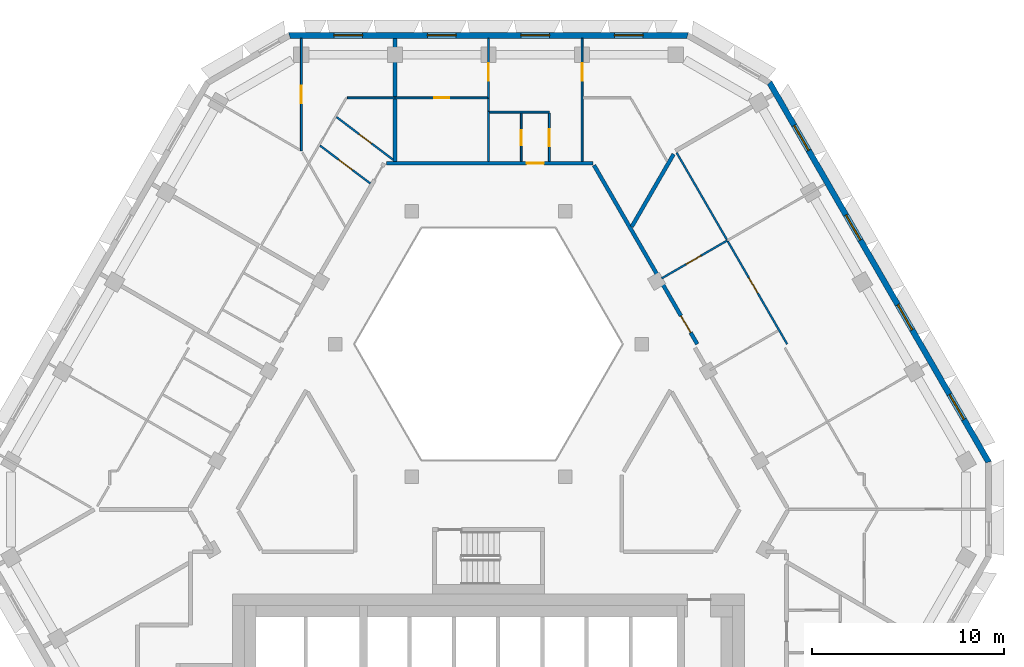
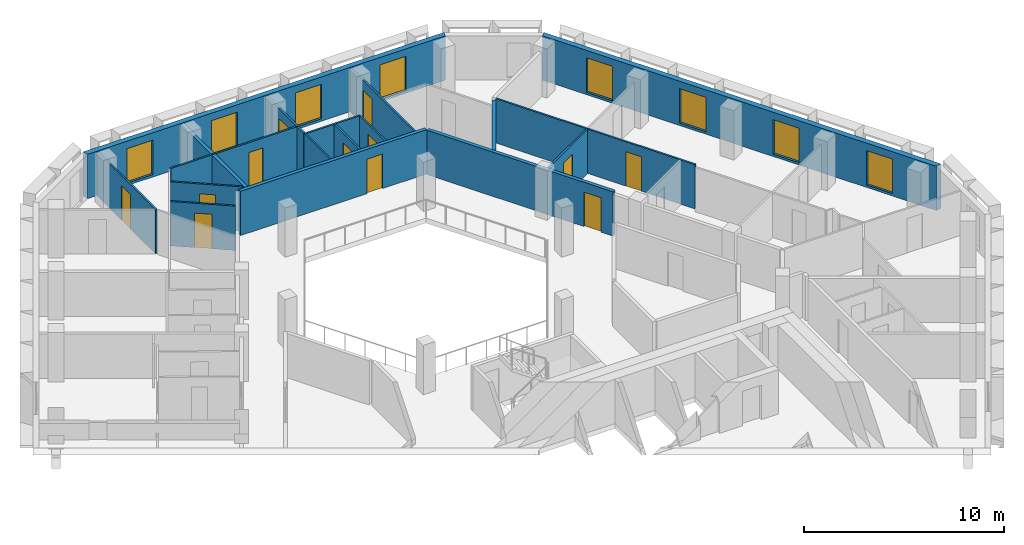
# One storey, part 7 of 15: 20 walls, 12 doors, 8 windows, 20 openings.
"""IFC4 building model written with IfcOpenShell, lengths in metres."""

from ifc_helpers import new_model, si_unit, direction, frame, frame_2d, origin, place, context, subcontext, project, spatial, polyline, rectangle, outline, extrude, material, layer, layer_set, type_object, element, fill, save


model = new_model("IFC4")

# Units and contexts
model_context = context("Model", 3, precision=1e-05, world=origin(), true_north=direction((0.0, 1.0)))
body_context = subcontext(model_context, "Body", "Model", "MODEL_VIEW")
ifc_project = project(units=[si_unit("LENGTHUNIT", "METRE"), si_unit("AREAUNIT", "SQUARE_METRE"), si_unit("VOLUMEUNIT", "CUBIC_METRE"), si_unit("PLANEANGLEUNIT", "RADIAN"), si_unit("MASSUNIT", "GRAM", prefix="KILO")], contexts=[model_context])

# Site, building, storey
site_placement = place(None, origin())
site = spatial("IfcSite", under=ifc_project, at=site_placement, CompositionType="ELEMENT")
building_placement = place(site_placement, origin())
building = spatial("IfcBuilding", under=site, at=building_placement, Name="Beryl Residences", CompositionType="ELEMENT")
storey_placement = place(building_placement, frame((0.0, 0.0, 163.199951171875)))
storey = spatial("IfcBuildingStorey", under=building, at=storey_placement, Name="L49", CompositionType="ELEMENT", Elevation=163.199951171875)

# Wall, openings, windows
ifc_material_1 = material(Name="Composite metal panel with mineral wool insulation")
ifc_layer_1 = layer(ifc_material_1, 0.300048828125)
ifc_layer_set_1 = layer_set([ifc_layer_1], Name="ES1 pale metal composite panel wall 300 mm")
wall_type_1 = type_object("IfcWallType", Name="ES1 pale metal composite panel wall 300 mm", PredefinedType="SOLIDWALL", material=ifc_layer_set_1)
wall_1_placement = place(storey_placement, frame((10.39208984375, 24.050048828125, 0.0), z_axis=(0.0, 0.0, 1.0), x_axis=(-1.0, 0.0, 0.0)))
wall_1 = element("IfcWall", 1, at=wall_1_placement, inside=storey, type_object=wall_type_1, Name="ES1 external wall L49 N", PredefinedType="SOLIDWALL", context=body_context, shape_type="SweptSolid", body=[
    extrude(outline(polyline([(0.0, -0.14990234375), (20.7841796875, -0.14990234375), (20.703857421875, 0.14990234375), (0.080322265625, 0.14990234375), (0.0, -0.14990234375)])), origin(), (0.0, 0.0, 1.0), 2.699951171875),
])
opening_1_placement = place(wall_1_placement, frame((2.345947265625, 0.0, 0.14990234375)))
opening_1 = element("IfcOpeningElement", 2, at=opening_1_placement, cuts=wall_1, Name="Opening W1", PredefinedType="OPENING", context=body_context, shape_type="SweptSolid", body=[
    extrude(rectangle(XDim=1.5, YDim=2.10009765625, at=frame_2d((0.75, 1.050048828125))), frame((0.0, 0.159912109375, 0.0), z_axis=(0.0, -1.0, 0.0), x_axis=(1.0, 0.0, 0.0)), (0.0, 0.0, 1.0), 0.320068359375),
])
opening_2_placement = place(wall_1_placement, frame((7.2099609375, 0.0, 0.14990234375)))
opening_2 = element("IfcOpeningElement", 3, at=opening_2_placement, cuts=wall_1, Name="Opening W1", PredefinedType="OPENING", context=body_context, shape_type="SweptSolid", body=[
    extrude(rectangle(XDim=1.5, YDim=2.10009765625, at=frame_2d((0.75, 1.050048828125))), frame((0.0, 0.159912109375, 0.0), z_axis=(0.0, -1.0, 0.0), x_axis=(1.0, 0.0, 0.0)), (0.0, 0.0, 1.0), 0.320068359375),
])
opening_3_placement = place(wall_1_placement, frame((12.073974609375, 0.0, 0.14990234375)))
opening_3 = element("IfcOpeningElement", 4, at=opening_3_placement, cuts=wall_1, Name="Opening W1", PredefinedType="OPENING", context=body_context, shape_type="SweptSolid", body=[
    extrude(rectangle(XDim=1.5, YDim=2.10009765625, at=frame_2d((0.75, 1.050048828125))), frame((0.0, 0.159912109375, 0.0), z_axis=(0.0, -1.0, 0.0), x_axis=(1.0, 0.0, 0.0)), (0.0, 0.0, 1.0), 0.320068359375),
])
opening_4_placement = place(wall_1_placement, frame((16.93798828125, 0.0, 0.14990234375)))
opening_4 = element("IfcOpeningElement", 5, at=opening_4_placement, cuts=wall_1, Name="Opening W1", PredefinedType="OPENING", context=body_context, shape_type="SweptSolid", body=[
    extrude(rectangle(XDim=1.5, YDim=2.10009765625, at=frame_2d((0.75, 1.050048828125))), frame((0.0, 0.159912109375, 0.0), z_axis=(0.0, -1.0, 0.0), x_axis=(1.0, 0.0, 0.0)), (0.0, 0.0, 1.0), 0.320068359375),
])
ifc_material_2 = material(Name="Aluminium and clear glass", Category="aluminium")
window_type = type_object("IfcWindowType", Name="W1 cell window 1500 x 2100 mm", PartitioningType="SINGLE_PANEL", PredefinedType="WINDOW", material=ifc_material_2)
window_1_placement = place(opening_1_placement, origin())
window_1 = element("IfcWindow", 6, at=window_1_placement, inside=storey, type_object=window_type, Name="W1 window L49 N 2", OverallHeight=2.10009765625, OverallWidth=1.5, PartitioningType="SINGLE_PANEL", PredefinedType="WINDOW", context=body_context, shape_type="SweptSolid", body=[
    extrude(rectangle(XDim=1.5, YDim=2.10009765625, at=frame_2d((0.75, 1.050048828125))), frame((0.0, 0.030029296875, 0.0), z_axis=(0.0, -1.0, 0.0), x_axis=(1.0, 0.0, 0.0)), (0.0, 0.0, 1.0), 0.06005859375),
])
fill(opening_1, window_1)
window_2_placement = place(opening_2_placement, origin())
window_2 = element("IfcWindow", 7, at=window_2_placement, inside=storey, type_object=window_type, Name="W1 window L49 N 4", OverallHeight=2.10009765625, OverallWidth=1.5, PartitioningType="SINGLE_PANEL", PredefinedType="WINDOW", context=body_context, shape_type="SweptSolid", body=[
    extrude(rectangle(XDim=1.5, YDim=2.10009765625, at=frame_2d((0.75, 1.050048828125))), frame((0.0, 0.030029296875, 0.0), z_axis=(0.0, -1.0, 0.0), x_axis=(1.0, 0.0, 0.0)), (0.0, 0.0, 1.0), 0.06005859375),
])
fill(opening_2, window_2)
window_3_placement = place(opening_3_placement, origin())
window_3 = element("IfcWindow", 8, at=window_3_placement, inside=storey, type_object=window_type, Name="W1 window L49 N 6", OverallHeight=2.10009765625, OverallWidth=1.5, PartitioningType="SINGLE_PANEL", PredefinedType="WINDOW", context=body_context, shape_type="SweptSolid", body=[
    extrude(rectangle(XDim=1.5, YDim=2.10009765625, at=frame_2d((0.75, 1.050048828125))), frame((0.0, 0.030029296875, 0.0), z_axis=(0.0, -1.0, 0.0), x_axis=(1.0, 0.0, 0.0)), (0.0, 0.0, 1.0), 0.06005859375),
])
fill(opening_3, window_3)
window_4_placement = place(opening_4_placement, origin())
window_4 = element("IfcWindow", 9, at=window_4_placement, inside=storey, type_object=window_type, Name="W1 window L49 N 8", OverallHeight=2.10009765625, OverallWidth=1.5, PartitioningType="SINGLE_PANEL", PredefinedType="WINDOW", context=body_context, shape_type="SweptSolid", body=[
    extrude(rectangle(XDim=1.5, YDim=2.10009765625, at=frame_2d((0.75, 1.050048828125))), frame((0.0, 0.030029296875, 0.0), z_axis=(0.0, -1.0, 0.0), x_axis=(1.0, 0.0, 0.0)), (0.0, 0.0, 1.0), 0.06005859375),
])
fill(opening_4, window_4)

wall_2_placement = place(storey_placement, frame((26.02392578125, 1.824951171875, 0.0), z_axis=(0.0, 0.0, 1.0), x_axis=(-0.500010537973, 0.866019319597, 0.0)))
wall_2 = element("IfcWall", 10, at=wall_2_placement, inside=storey, type_object=wall_type_1, Name="ES1 external wall L49 NE", PredefinedType="SOLIDWALL", context=body_context, shape_type="SweptSolid", body=[
    extrude(outline(polyline([(0.0, -0.14990234375), (22.86328125, -0.14990234375), (22.782958984375, 0.14990234375), (0.080322265625, 0.14990234375), (0.0, -0.14990234375)])), origin(), (0.0, 0.0, 1.0), 2.699951171875),
])
opening_5_placement = place(wall_2_placement, frame((2.60595703125, 0.0, 0.14990234375)))
opening_5 = element("IfcOpeningElement", 11, at=opening_5_placement, cuts=wall_2, Name="Opening W1", PredefinedType="OPENING", context=body_context, shape_type="SweptSolid", body=[
    extrude(rectangle(XDim=1.5, YDim=2.10009765625, at=frame_2d((0.75, 1.050048828125))), frame((0.0, 0.159912109375, 0.0), z_axis=(0.0, -1.0, 0.0), x_axis=(1.0, 0.0, 0.0)), (0.0, 0.0, 1.0), 0.320068359375),
])
opening_6_placement = place(wall_2_placement, frame((7.989990234375, 0.0, 0.14990234375)))
opening_6 = element("IfcOpeningElement", 12, at=opening_6_placement, cuts=wall_2, Name="Opening W1", PredefinedType="OPENING", context=body_context, shape_type="SweptSolid", body=[
    extrude(rectangle(XDim=1.5, YDim=2.10009765625, at=frame_2d((0.75, 1.050048828125))), frame((0.0, 0.159912109375, 0.0), z_axis=(0.0, -1.0, 0.0), x_axis=(1.0, 0.0, 0.0)), (0.0, 0.0, 1.0), 0.320068359375),
])
opening_7_placement = place(wall_2_placement, frame((13.373046875, 0.0, 0.14990234375)))
opening_7 = element("IfcOpeningElement", 13, at=opening_7_placement, cuts=wall_2, Name="Opening W1", PredefinedType="OPENING", context=body_context, shape_type="SweptSolid", body=[
    extrude(rectangle(XDim=1.5, YDim=2.10009765625, at=frame_2d((0.75, 1.050048828125))), frame((0.0, 0.159912109375, 0.0), z_axis=(0.0, -1.0, 0.0), x_axis=(1.0, 0.0, 0.0)), (0.0, 0.0, 1.0), 0.320068359375),
])
opening_8_placement = place(wall_2_placement, frame((18.758056640625, 0.0, 0.14990234375)))
opening_8 = element("IfcOpeningElement", 14, at=opening_8_placement, cuts=wall_2, Name="Opening W1", PredefinedType="OPENING", context=body_context, shape_type="SweptSolid", body=[
    extrude(rectangle(XDim=1.5, YDim=2.10009765625, at=frame_2d((0.75, 1.050048828125))), frame((0.0, 0.159912109375, 0.0), z_axis=(0.0, -1.0, 0.0), x_axis=(1.0, 0.0, 0.0)), (0.0, 0.0, 1.0), 0.320068359375),
])
window_5_placement = place(opening_5_placement, origin())
window_5 = element("IfcWindow", 15, at=window_5_placement, inside=storey, type_object=window_type, Name="W1 window L49 NE 2", OverallHeight=2.10009765625, OverallWidth=1.5, PartitioningType="SINGLE_PANEL", PredefinedType="WINDOW", context=body_context, shape_type="SweptSolid", body=[
    extrude(rectangle(XDim=1.5, YDim=2.10009765625, at=frame_2d((0.75, 1.050048828125))), frame((0.0, 0.030029296875, 0.0), z_axis=(0.0, -1.0, 0.0), x_axis=(1.0, 0.0, 0.0)), (0.0, 0.0, 1.0), 0.06005859375),
])
fill(opening_5, window_5)
window_6_placement = place(opening_6_placement, origin())
window_6 = element("IfcWindow", 16, at=window_6_placement, inside=storey, type_object=window_type, Name="W1 window L49 NE 4", OverallHeight=2.10009765625, OverallWidth=1.5, PartitioningType="SINGLE_PANEL", PredefinedType="WINDOW", context=body_context, shape_type="SweptSolid", body=[
    extrude(rectangle(XDim=1.5, YDim=2.10009765625, at=frame_2d((0.75, 1.050048828125))), frame((0.0, 0.030029296875, 0.0), z_axis=(0.0, -1.0, 0.0), x_axis=(1.0, 0.0, 0.0)), (0.0, 0.0, 1.0), 0.06005859375),
])
fill(opening_6, window_6)
window_7_placement = place(opening_7_placement, origin())
window_7 = element("IfcWindow", 17, at=window_7_placement, inside=storey, type_object=window_type, Name="W1 window L49 NE 6", OverallHeight=2.10009765625, OverallWidth=1.5, PartitioningType="SINGLE_PANEL", PredefinedType="WINDOW", context=body_context, shape_type="SweptSolid", body=[
    extrude(rectangle(XDim=1.5, YDim=2.10009765625, at=frame_2d((0.75, 1.050048828125))), frame((0.0, 0.030029296875, 0.0), z_axis=(0.0, -1.0, 0.0), x_axis=(1.0, 0.0, 0.0)), (0.0, 0.0, 1.0), 0.06005859375),
])
fill(opening_7, window_7)
window_8_placement = place(opening_8_placement, origin())
window_8 = element("IfcWindow", 18, at=window_8_placement, inside=storey, type_object=window_type, Name="W1 window L49 NE 8", OverallHeight=2.10009765625, OverallWidth=1.5, PartitioningType="SINGLE_PANEL", PredefinedType="WINDOW", context=body_context, shape_type="SweptSolid", body=[
    extrude(rectangle(XDim=1.5, YDim=2.10009765625, at=frame_2d((0.75, 1.050048828125))), frame((0.0, 0.030029296875, 0.0), z_axis=(0.0, -1.0, 0.0), x_axis=(1.0, 0.0, 0.0)), (0.0, 0.0, 1.0), 0.06005859375),
])
fill(opening_8, window_8)

# Wall, opening, door
ifc_material_3 = material(Name="Gypsum board partition on steel studs", Category="steel")
ifc_layer_2 = layer(ifc_material_3, 0.10009765625)
ifc_layer_set_2 = layer_set([ifc_layer_2], Name="PT1 partition 100 mm gypsum board on steel studs")
wall_type_2 = type_object("IfcWallType", Name="PT1 partition 100 mm gypsum board on steel studs", PredefinedType="PARTITIONING", material=ifc_layer_set_2)
wall_3_placement = place(storey_placement, frame((9.783935546875, 17.947021484375, 0.0), z_axis=(0.0, 0.0, 1.0), x_axis=(0.500016228266, -0.866016034188, 0.0)))
wall_3 = element("IfcWall", 19, at=wall_3_placement, inside=storey, type_object=wall_type_2, Name="Wall PT1 L49 005", PredefinedType="PARTITIONING", context=body_context, shape_type="SweptSolid", body=[
    extrude(rectangle(XDim=11.48583984375, YDim=0.10009765625, at=frame_2d((5.742919921875, 0.0))), origin(), (0.0, 0.0, 1.0), 2.699951171875),
])
opening_9_placement = place(wall_3_placement, frame((7.51806640625, 0.0, 0.0)))
opening_9 = element("IfcOpeningElement", 20, at=opening_9_placement, cuts=wall_3, Name="Opening D1616", PredefinedType="OPENING", context=body_context, shape_type="SweptSolid", body=[
    extrude(rectangle(XDim=0.89990234375, YDim=2.10009765625, at=frame_2d((0.449951171875, 1.050048828125))), frame((0.0, 0.06005859375, 0.0), z_axis=(0.0, -1.0, 0.0), x_axis=(1.0, 0.0, 0.0)), (0.0, 0.0, 1.0), 0.1201171875),
])
ifc_material_4 = material(Name="Timber door leaf", Category="wood")
door_type_1 = type_object("IfcDoorType", Name="D2 room door 900 x 2100 mm", OperationType="SINGLE_SWING_LEFT", PredefinedType="DOOR", material=ifc_material_4)
door_1_placement = place(opening_9_placement, origin())
door_1 = element("IfcDoor", 21, at=door_1_placement, inside=storey, type_object=door_type_1, Name="Door D1616 L49 001", OperationType="SINGLE_SWING_RIGHT", OverallHeight=2.10009765625, OverallWidth=0.89990234375, PredefinedType="DOOR", context=body_context, shape_type="SweptSolid", body=[
    extrude(rectangle(XDim=0.89990234375, YDim=2.10009765625, at=frame_2d((0.449951171875, 1.050048828125))), frame((0.0, 0.02490234375, 0.0), z_axis=(0.0, -1.0, 0.0), x_axis=(1.0, 0.0, 0.0)), (0.0, 0.0, 1.0), 0.050048828125),
])
fill(opening_9, door_1)

# Wall
wall_4_placement = place(storey_placement, frame((0.0, 20.76904296875, 0.0), z_axis=(0.0, 0.0, 1.0), x_axis=(0.0, -1.0, 0.0)))
element("IfcWall", 22, at=wall_4_placement, inside=storey, type_object=wall_type_2, Name="Wall PT1 L49 006", PredefinedType="PARTITIONING", context=body_context, shape_type="SweptSolid", body=[
    extrude(rectangle(XDim=0.658935546875, YDim=0.10009765625, at=frame_2d((0.32958984375, 0.0))), origin(), (0.0, 0.0, 1.0), 2.699951171875),
])

# Wall, opening, door
wall_5_placement = place(storey_placement, frame((3.162109375, 20.009033203125, 0.0), z_axis=(0.0, 0.0, 1.0), x_axis=(0.0, -1.0, 0.0)))
wall_5 = element("IfcWall", 23, at=wall_5_placement, inside=storey, type_object=wall_type_2, Name="Wall PT1 L49 007", PredefinedType="PARTITIONING", context=body_context, shape_type="SweptSolid", body=[
    extrude(rectangle(XDim=2.509033203125, YDim=0.10009765625, at=frame_2d((1.25439453125, 0.0))), origin(), (0.0, 0.0, 1.0), 2.699951171875),
])
opening_10_placement = place(wall_5_placement, frame((0.8291015625, 0.0, 0.0)))
opening_10 = element("IfcOpeningElement", 24, at=opening_10_placement, cuts=wall_5, Name="Opening D1625", PredefinedType="OPENING", context=body_context, shape_type="SweptSolid", body=[
    extrude(rectangle(XDim=0.89990234375, YDim=2.10009765625, at=frame_2d((0.449951171875, 1.050048828125))), frame((0.0, 0.06005859375, 0.0), z_axis=(0.0, -1.0, 0.0), x_axis=(1.0, 0.0, 0.0)), (0.0, 0.0, 1.0), 0.1201171875),
])
door_2_placement = place(opening_10_placement, origin())
door_2 = element("IfcDoor", 25, at=door_2_placement, inside=storey, type_object=door_type_1, Name="Door D1625 L49 001", OperationType="SINGLE_SWING_LEFT", OverallHeight=2.10009765625, OverallWidth=0.89990234375, PredefinedType="DOOR", context=body_context, shape_type="SweptSolid", body=[
    extrude(rectangle(XDim=0.89990234375, YDim=2.10009765625, at=frame_2d((0.449951171875, 1.050048828125))), frame((0.0, 0.02490234375, 0.0), z_axis=(0.0, -1.0, 0.0), x_axis=(1.0, 0.0, 0.0)), (0.0, 0.0, 1.0), 0.050048828125),
])
fill(opening_10, door_2)

wall_6_placement = place(storey_placement, frame((-8.762939453125, 18.321044921875, 0.0), z_axis=(0.0, 0.0, 1.0), x_axis=(0.798861914713, -0.601514456369, 0.0)))
wall_6 = element("IfcWall", 26, at=wall_6_placement, inside=storey, type_object=wall_type_2, Name="Wall PT1 L49 015", PredefinedType="PARTITIONING", context=body_context, shape_type="SweptSolid", body=[
    extrude(rectangle(XDim=3.2734375, YDim=0.10009765625, at=frame_2d((1.63671875, 0.0))), origin(), (0.0, 0.0, 1.0), 2.699951171875),
])
opening_11_placement = place(wall_6_placement, frame((1.2119140625, 0.0, 0.0)))
opening_11 = element("IfcOpeningElement", 27, at=opening_11_placement, cuts=wall_6, Name="Opening D1633", PredefinedType="OPENING", context=body_context, shape_type="SweptSolid", body=[
    extrude(rectangle(XDim=0.89990234375, YDim=2.10009765625, at=frame_2d((0.449951171875, 1.050048828125))), frame((0.0, 0.06005859375, 0.0), z_axis=(0.0, -1.0, 0.0), x_axis=(1.0, 0.0, 0.0)), (0.0, 0.0, 1.0), 0.1201171875),
])
door_3_placement = place(opening_11_placement, origin())
door_3 = element("IfcDoor", 28, at=door_3_placement, inside=storey, type_object=door_type_1, Name="Door D1633 L49 001", OperationType="SINGLE_SWING_LEFT", OverallHeight=2.10009765625, OverallWidth=0.89990234375, PredefinedType="DOOR", context=body_context, shape_type="SweptSolid", body=[
    extrude(rectangle(XDim=0.89990234375, YDim=2.10009765625, at=frame_2d((0.449951171875, 1.050048828125))), frame((0.0, 0.02490234375, 0.0), z_axis=(0.0, -1.0, 0.0), x_axis=(1.0, 0.0, 0.0)), (0.0, 0.0, 1.0), 0.050048828125),
])
fill(opening_11, door_3)

wall_7_placement = place(storey_placement, frame((-7.906005859375, 19.803955078125, 0.0), z_axis=(0.0, 0.0, 1.0), x_axis=(0.798741470056, -0.60167438371, 0.0)))
wall_7 = element("IfcWall", 29, at=wall_7_placement, inside=storey, type_object=wall_type_2, Name="Wall PT1 L49 016", PredefinedType="PARTITIONING", context=body_context, shape_type="SweptSolid", body=[
    extrude(rectangle(XDim=3.68310546875, YDim=0.10009765625, at=frame_2d((1.841552734375, 0.0))), origin(), (0.0, 0.0, 1.0), 2.699951171875),
])
opening_12_placement = place(wall_7_placement, frame((1.47900390625, 0.0, 0.0)))
opening_12 = element("IfcOpeningElement", 30, at=opening_12_placement, cuts=wall_7, Name="Opening D1632", PredefinedType="OPENING", context=body_context, shape_type="SweptSolid", body=[
    extrude(rectangle(XDim=0.800048828125, YDim=2.10009765625, at=frame_2d((0.39990234375, 1.050048828125))), frame((0.0, 0.06005859375, 0.0), z_axis=(0.0, -1.0, 0.0), x_axis=(1.0, 0.0, 0.0)), (0.0, 0.0, 1.0), 0.1201171875),
])
ifc_material_5 = material(Name="Timber door leaf", Category="wood")
door_type_2 = type_object("IfcDoorType", Name="D3 bathroom door 800 x 2100 mm", OperationType="SINGLE_SWING_LEFT", PredefinedType="DOOR", material=ifc_material_5)
door_4_placement = place(opening_12_placement, origin())
door_4 = element("IfcDoor", 31, at=door_4_placement, inside=storey, type_object=door_type_2, Name="Door D1632 L49 001", OperationType="SINGLE_SWING_RIGHT", OverallHeight=2.10009765625, OverallWidth=0.800048828125, PredefinedType="DOOR", context=body_context, shape_type="SweptSolid", body=[
    extrude(rectangle(XDim=0.800048828125, YDim=2.10009765625, at=frame_2d((0.39990234375, 1.050048828125))), frame((0.0, 0.02490234375, 0.0), z_axis=(0.0, -1.0, 0.0), x_axis=(1.0, 0.0, 0.0)), (0.0, 0.0, 1.0), 0.050048828125),
])
fill(opening_12, door_4)

# Walls
wall_8_placement = place(storey_placement, frame((0.050048828125, 20.06005859375, 0.0), z_axis=(0.0, 0.0, 1.0), x_axis=(1.0, 0.0, 0.0)))
element("IfcWall", 32, at=wall_8_placement, inside=storey, type_object=wall_type_2, Name="Wall PT1 L49 022", PredefinedType="PARTITIONING", context=body_context, shape_type="SweptSolid", body=[
    extrude(rectangle(XDim=3.11083984375, YDim=0.10009765625, at=frame_2d((1.555419921875, 0.0))), origin(), (0.0, 0.0, 1.0), 2.699951171875),
])
wall_9_placement = place(storey_placement, frame((-7.33203125, 20.799072265625, 0.0), z_axis=(0.0, 0.0, 1.0), x_axis=(1.0, 0.0, 0.0)))
element("IfcWall", 33, at=wall_9_placement, inside=storey, type_object=wall_type_2, Name="Wall PT1 L49 023", PredefinedType="PARTITIONING", context=body_context, shape_type="SweptSolid", body=[
    extrude(rectangle(XDim=2.468017578125, YDim=0.10009765625, at=frame_2d((1.23388671875, 0.0))), origin(), (0.0, 0.0, 1.0), 2.699951171875),
])

# Wall, opening, door
wall_10_placement = place(storey_placement, frame((4.864013671875, 17.5, 0.0), z_axis=(0.0, 0.0, 1.0), x_axis=(0.0, 1.0, 0.0)))
wall_10 = element("IfcWall", 34, at=wall_10_placement, inside=storey, type_object=wall_type_2, Name="Wall PT1 L49 031", PredefinedType="PARTITIONING", context=body_context, shape_type="SweptSolid", body=[
    extrude(rectangle(XDim=6.39990234375, YDim=0.10009765625, at=frame_2d((3.199951171875, 0.0))), origin(), (0.0, 0.0, 1.0), 2.699951171875),
])
opening_13_placement = place(wall_10_placement, frame((4.199951171875, 0.0, 0.0)))
opening_13 = element("IfcOpeningElement", 35, at=opening_13_placement, cuts=wall_10, Name="Opening D1628", PredefinedType="OPENING", context=body_context, shape_type="SweptSolid", body=[
    extrude(rectangle(XDim=0.89990234375, YDim=2.10009765625, at=frame_2d((0.449951171875, 1.050048828125))), frame((0.0, 0.06005859375, 0.0), z_axis=(0.0, -1.0, 0.0), x_axis=(1.0, 0.0, 0.0)), (0.0, 0.0, 1.0), 0.1201171875),
])
door_5_placement = place(opening_13_placement, origin())
door_5 = element("IfcDoor", 36, at=door_5_placement, inside=storey, type_object=door_type_1, Name="Door D1628 L49 001", OperationType="SINGLE_SWING_RIGHT", OverallHeight=2.10009765625, OverallWidth=0.89990234375, PredefinedType="DOOR", context=body_context, shape_type="SweptSolid", body=[
    extrude(rectangle(XDim=0.89990234375, YDim=2.10009765625, at=frame_2d((0.449951171875, 1.050048828125))), frame((0.0, 0.02490234375, 0.0), z_axis=(0.0, -1.0, 0.0), x_axis=(1.0, 0.0, 0.0)), (0.0, 0.0, 1.0), 0.050048828125),
])
fill(opening_13, door_5)

wall_11_placement = place(storey_placement, frame((1.701904296875, 17.5, 0.0), z_axis=(0.0, 0.0, 1.0), x_axis=(0.0, 1.0, 0.0)))
wall_11 = element("IfcWall", 37, at=wall_11_placement, inside=storey, type_object=wall_type_2, Name="Wall PT1 L49 032", PredefinedType="PARTITIONING", context=body_context, shape_type="SweptSolid", body=[
    extrude(rectangle(XDim=2.510009765625, YDim=0.10009765625, at=frame_2d((1.2548828125, 0.0))), origin(), (0.0, 0.0, 1.0), 2.699951171875),
])
opening_14_placement = place(wall_11_placement, frame((0.830078125, 0.0, 0.0)))
opening_14 = element("IfcOpeningElement", 38, at=opening_14_placement, cuts=wall_11, Name="Opening D1626", PredefinedType="OPENING", context=body_context, shape_type="SweptSolid", body=[
    extrude(rectangle(XDim=0.800048828125, YDim=2.10009765625, at=frame_2d((0.39990234375, 1.050048828125))), frame((0.0, 0.06005859375, 0.0), z_axis=(0.0, -1.0, 0.0), x_axis=(1.0, 0.0, 0.0)), (0.0, 0.0, 1.0), 0.1201171875),
])
door_6_placement = place(opening_14_placement, origin())
door_6 = element("IfcDoor", 39, at=door_6_placement, inside=storey, type_object=door_type_2, Name="Door D1626 L49 001", OperationType="SINGLE_SWING_RIGHT", OverallHeight=2.10009765625, OverallWidth=0.800048828125, PredefinedType="DOOR", context=body_context, shape_type="SweptSolid", body=[
    extrude(rectangle(XDim=0.800048828125, YDim=2.10009765625, at=frame_2d((0.39990234375, 1.050048828125))), frame((0.0, 0.02490234375, 0.0), z_axis=(0.0, -1.0, 0.0), x_axis=(1.0, 0.0, 0.0)), (0.0, 0.0, 1.0), 0.050048828125),
])
fill(opening_14, door_6)

# Wall
wall_12_placement = place(storey_placement, frame((0.0, 17.5, 0.0), z_axis=(0.0, 0.0, 1.0), x_axis=(0.0, 1.0, 0.0)))
element("IfcWall", 40, at=wall_12_placement, inside=storey, type_object=wall_type_2, Name="Wall PT1 L49 036", PredefinedType="PARTITIONING", context=body_context, shape_type="SweptSolid", body=[
    extrude(rectangle(XDim=2.580078125, YDim=0.10009765625, at=frame_2d((1.2900390625, 0.0))), origin(), (0.0, 0.0, 1.0), 2.699951171875),
])

# Wall, opening, door
wall_13_placement = place(storey_placement, frame((0.0, 20.779052734375, 0.0), z_axis=(0.0, 0.0, 1.0), x_axis=(0.0, 1.0, 0.0)))
wall_13 = element("IfcWall", 41, at=wall_13_placement, inside=storey, type_object=wall_type_2, Name="Wall PT1 L49 037", PredefinedType="PARTITIONING", context=body_context, shape_type="SweptSolid", body=[
    extrude(rectangle(XDim=3.120849609375, YDim=0.10009765625, at=frame_2d((1.560546875, 0.0))), origin(), (0.0, 0.0, 1.0), 2.699951171875),
])
opening_15_placement = place(wall_13_placement, frame((0.909912109375, 0.0, 0.0)))
opening_15 = element("IfcOpeningElement", 42, at=opening_15_placement, cuts=wall_13, Name="Opening D1627", PredefinedType="OPENING", context=body_context, shape_type="SweptSolid", body=[
    extrude(rectangle(XDim=0.89990234375, YDim=2.10009765625, at=frame_2d((0.449951171875, 1.050048828125))), frame((0.0, 0.06005859375, 0.0), z_axis=(0.0, -1.0, 0.0), x_axis=(1.0, 0.0, 0.0)), (0.0, 0.0, 1.0), 0.1201171875),
])
door_7_placement = place(opening_15_placement, origin())
door_7 = element("IfcDoor", 43, at=door_7_placement, inside=storey, type_object=door_type_1, Name="Door D1627 L49 001", OperationType="SINGLE_SWING_LEFT", OverallHeight=2.10009765625, OverallWidth=0.89990234375, PredefinedType="DOOR", context=body_context, shape_type="SweptSolid", body=[
    extrude(rectangle(XDim=0.89990234375, YDim=2.10009765625, at=frame_2d((0.449951171875, 1.050048828125))), frame((0.0, 0.02490234375, 0.0), z_axis=(0.0, -1.0, 0.0), x_axis=(1.0, 0.0, 0.0)), (0.0, 0.0, 1.0), 0.050048828125),
])
fill(opening_15, door_7)

wall_14_placement = place(storey_placement, frame((-9.72802734375, 18.050048828125, 0.0), z_axis=(0.0, 0.0, 1.0), x_axis=(0.0, 1.0, 0.0)))
wall_14 = element("IfcWall", 44, at=wall_14_placement, inside=storey, type_object=wall_type_2, Name="Wall PT1 L49 038", PredefinedType="PARTITIONING", context=body_context, shape_type="SweptSolid", body=[
    extrude(rectangle(XDim=5.849853515625, YDim=0.10009765625, at=frame_2d((2.9248046875, 0.0))), origin(), (0.0, 0.0, 1.0), 2.699951171875),
])
opening_16_placement = place(wall_14_placement, frame((2.47509765625, 0.0, 0.0)))
opening_16 = element("IfcOpeningElement", 45, at=opening_16_placement, cuts=wall_14, Name="Opening D1635", PredefinedType="OPENING", context=body_context, shape_type="SweptSolid", body=[
    extrude(rectangle(XDim=0.89990234375, YDim=2.10009765625, at=frame_2d((0.449951171875, 1.050048828125))), frame((0.0, 0.06005859375, 0.0), z_axis=(0.0, -1.0, 0.0), x_axis=(1.0, 0.0, 0.0)), (0.0, 0.0, 1.0), 0.1201171875),
])
door_8_placement = place(opening_16_placement, origin())
door_8 = element("IfcDoor", 46, at=door_8_placement, inside=storey, type_object=door_type_1, Name="Door D1635 L49 001", OperationType="SINGLE_SWING_LEFT", OverallHeight=2.10009765625, OverallWidth=0.89990234375, PredefinedType="DOOR", context=body_context, shape_type="SweptSolid", body=[
    extrude(rectangle(XDim=0.89990234375, YDim=2.10009765625, at=frame_2d((0.449951171875, 1.050048828125))), frame((0.0, 0.02490234375, 0.0), z_axis=(0.0, -1.0, 0.0), x_axis=(1.0, 0.0, 0.0)), (0.0, 0.0, 1.0), 0.050048828125),
])
fill(opening_16, door_8)

wall_15_placement = place(storey_placement, frame((8.9990234375, 11.4130859375, 0.0), z_axis=(0.0, 0.0, 1.0), x_axis=(0.866076396086, 0.499911668341, 0.0)))
wall_15 = element("IfcWall", 47, at=wall_15_placement, inside=storey, type_object=wall_type_2, Name="Wall PT1 L49 042", PredefinedType="PARTITIONING", context=body_context, shape_type="SweptSolid", body=[
    extrude(rectangle(XDim=3.946533203125, YDim=0.10009765625, at=frame_2d((1.97314453125, 0.0))), origin(), (0.0, 0.0, 1.0), 2.699951171875),
])
opening_17_placement = place(wall_15_placement, frame((1.47412109375, 0.0, 0.0)))
opening_17 = element("IfcOpeningElement", 48, at=opening_17_placement, cuts=wall_15, Name="Opening D1618", PredefinedType="OPENING", context=body_context, shape_type="SweptSolid", body=[
    extrude(rectangle(XDim=0.89990234375, YDim=2.10009765625, at=frame_2d((0.449951171875, 1.050048828125))), frame((0.0, 0.06005859375, 0.0), z_axis=(0.0, -1.0, 0.0), x_axis=(1.0, 0.0, 0.0)), (0.0, 0.0, 1.0), 0.1201171875),
])
door_9_placement = place(opening_17_placement, origin())
door_9 = element("IfcDoor", 49, at=door_9_placement, inside=storey, type_object=door_type_1, Name="Door D1618 L49 001", OperationType="SINGLE_SWING_RIGHT", OverallHeight=2.10009765625, OverallWidth=0.89990234375, PredefinedType="DOOR", context=body_context, shape_type="SweptSolid", body=[
    extrude(rectangle(XDim=0.89990234375, YDim=2.10009765625, at=frame_2d((0.449951171875, 1.050048828125))), frame((0.0, 0.02490234375, 0.0), z_axis=(0.0, -1.0, 0.0), x_axis=(1.0, 0.0, 0.0)), (0.0, 0.0, 1.0), 0.050048828125),
])
fill(opening_17, door_9)

wall_16_placement = place(storey_placement, frame((-4.864013671875, 20.799072265625, 0.0), z_axis=(0.0, 0.0, 1.0), x_axis=(1.0, 0.0, 0.0)))
wall_16 = element("IfcWall", 50, at=wall_16_placement, inside=storey, type_object=wall_type_2, Name="Wall PT1 L49 047", PredefinedType="PARTITIONING", context=body_context, shape_type="SweptSolid", body=[
    extrude(rectangle(XDim=4.81396484375, YDim=0.10009765625, at=frame_2d((2.406982421875, 0.0))), origin(), (0.0, 0.0, 1.0), 2.699951171875),
])
opening_18_placement = place(wall_16_placement, frame((2.031982421875, 0.0, 0.0)))
opening_18 = element("IfcOpeningElement", 51, at=opening_18_placement, cuts=wall_16, Name="Opening D1630", PredefinedType="OPENING", context=body_context, shape_type="SweptSolid", body=[
    extrude(rectangle(XDim=0.800048828125, YDim=2.10009765625, at=frame_2d((0.39990234375, 1.050048828125))), frame((0.0, 0.06005859375, 0.0), z_axis=(0.0, -1.0, 0.0), x_axis=(1.0, 0.0, 0.0)), (0.0, 0.0, 1.0), 0.1201171875),
])
door_10_placement = place(opening_18_placement, origin())
door_10 = element("IfcDoor", 52, at=door_10_placement, inside=storey, type_object=door_type_2, Name="Door D1630 L49 001", OperationType="SINGLE_SWING_RIGHT", OverallHeight=2.10009765625, OverallWidth=0.800048828125, PredefinedType="DOOR", context=body_context, shape_type="SweptSolid", body=[
    extrude(rectangle(XDim=0.800048828125, YDim=2.10009765625, at=frame_2d((0.39990234375, 1.050048828125))), frame((0.0, 0.02490234375, 0.0), z_axis=(0.0, -1.0, 0.0), x_axis=(1.0, 0.0, 0.0)), (0.0, 0.0, 1.0), 0.050048828125),
])
fill(opening_18, door_10)

# Walls
ifc_material_6 = material(Name="Acoustic double stud gypsum board wall")
ifc_layer_3 = layer(ifc_material_6, 0.199951171875)
ifc_layer_set_3 = layer_set([ifc_layer_3], Name="PT3 party wall 200 mm acoustic double stud")
wall_type_3 = type_object("IfcWallType", Name="PT3 party wall 200 mm acoustic double stud", PredefinedType="PARTITIONING", material=ifc_layer_set_3)
wall_17_placement = place(storey_placement, frame((7.447998046875, 14.10009765625, 0.0), z_axis=(0.0, 0.0, 1.0), x_axis=(0.500013426303, 0.866017651966, 0.0)))
element("IfcWall", 53, at=wall_17_placement, inside=storey, type_object=wall_type_3, Name="Wall PT3 L49 008", PredefinedType="PARTITIONING", context=body_context, shape_type="SweptSolid", body=[
    extrude(rectangle(XDim=4.35791015625, YDim=0.199951171875, at=frame_2d((2.178955078125, 0.0))), origin(), (0.0, 0.0, 1.0), 2.699951171875),
])
wall_18_placement = place(storey_placement, frame((-4.864013671875, 17.492919921875, 0.0), z_axis=(0.0, 0.0, 1.0), x_axis=(0.0, 1.0, 0.0)))
element("IfcWall", 54, at=wall_18_placement, inside=storey, type_object=wall_type_3, Name="Wall PT3 L49 009", PredefinedType="PARTITIONING", context=body_context, shape_type="SweptSolid", body=[
    extrude(rectangle(XDim=6.406982421875, YDim=0.199951171875, at=frame_2d((3.20361328125, 0.0))), origin(), (0.0, 0.0, 1.0), 2.699951171875),
])

# Wall, opening, door
ifc_material_7 = material(Name="Double stud gypsum board wall")
ifc_layer_4 = layer(ifc_material_7, 0.199951171875)
ifc_layer_set_4 = layer_set([ifc_layer_4], Name="PT4 corridor wall 200 mm double stud")
wall_type_4 = type_object("IfcWallType", Name="PT4 corridor wall 200 mm double stud", PredefinedType="PARTITIONING", material=ifc_layer_set_4)
wall_19_placement = place(storey_placement, frame((5.485107421875, 17.300048828125, 0.0), z_axis=(0.0, 0.0, 1.0), x_axis=(0.499965832213, -0.866045129667, 0.0)))
wall_19 = element("IfcWall", 55, at=wall_19_placement, inside=storey, type_object=wall_type_4, Name="Wall PT4 L49 006", PredefinedType="PARTITIONING", context=body_context, shape_type="SweptSolid", body=[
    extrude(rectangle(XDim=10.738525390625, YDim=0.199951171875, at=frame_2d((5.369140625, 0.0))), origin(), (0.0, 0.0, 1.0), 2.699951171875),
])
opening_19_placement = place(wall_19_placement, frame((9.047119140625, 0.0, 0.0)))
opening_19 = element("IfcOpeningElement", 56, at=opening_19_placement, cuts=wall_19, Name="Opening D1615", PredefinedType="OPENING", context=body_context, shape_type="SweptSolid", body=[
    extrude(rectangle(XDim=1.0, YDim=2.10009765625, at=frame_2d((0.5, 1.050048828125))), frame((0.0, 0.10986328125, 0.0), z_axis=(0.0, -1.0, 0.0), x_axis=(1.0, 0.0, 0.0)), (0.0, 0.0, 1.0), 0.219970703125),
])
ifc_material_8 = material(Name="Timber door leaf", Category="wood")
door_type_3 = type_object("IfcDoorType", Name="D1 flat entrance door 1000 x 2100 mm", OperationType="SINGLE_SWING_LEFT", PredefinedType="DOOR", material=ifc_material_8)
door_11_placement = place(opening_19_placement, origin())
door_11 = element("IfcDoor", 57, at=door_11_placement, inside=storey, type_object=door_type_3, Name="Door D1615 L49 001", OperationType="SINGLE_SWING_LEFT", OverallHeight=2.10009765625, OverallWidth=1.0, PredefinedType="DOOR", context=body_context, shape_type="SweptSolid", body=[
    extrude(rectangle(XDim=1.0, YDim=2.10009765625, at=frame_2d((0.5, 1.050048828125))), frame((0.0, 0.02490234375, 0.0), z_axis=(0.0, -1.0, 0.0), x_axis=(1.0, 0.0, 0.0)), (0.0, 0.0, 1.0), 0.050048828125),
])
fill(opening_19, door_11)

wall_20_placement = place(storey_placement, frame((-5.31201171875, 17.39990234375, 0.0), z_axis=(0.0, 0.0, 1.0), x_axis=(1.0, 0.0, 0.0)))
wall_20 = element("IfcWall", 58, at=wall_20_placement, inside=storey, type_object=wall_type_4, Name="Wall PT4 L49 014", PredefinedType="PARTITIONING", context=body_context, shape_type="SweptSolid", body=[
    extrude(rectangle(XDim=10.738037109375, YDim=0.199951171875, at=frame_2d((5.369140625, 0.0))), origin(), (0.0, 0.0, 1.0), 2.699951171875),
])
opening_20_placement = place(wall_20_placement, frame((7.2939453125, 0.0, 0.0)))
opening_20 = element("IfcOpeningElement", 59, at=opening_20_placement, cuts=wall_20, Name="Opening D1624", PredefinedType="OPENING", context=body_context, shape_type="SweptSolid", body=[
    extrude(rectangle(XDim=0.89990234375, YDim=2.10009765625, at=frame_2d((0.449951171875, 1.050048828125))), frame((0.0, 0.10986328125, 0.0), z_axis=(0.0, -1.0, 0.0), x_axis=(1.0, 0.0, 0.0)), (0.0, 0.0, 1.0), 0.219970703125),
])
ifc_material_9 = material(Name="Timber door leaf", Category="wood")
door_type_4 = type_object("IfcDoorType", Name="D11 flat entrance door 900 x 2100 mm", OperationType="SINGLE_SWING_LEFT", PredefinedType="DOOR", material=ifc_material_9)
door_12_placement = place(opening_20_placement, origin())
door_12 = element("IfcDoor", 60, at=door_12_placement, inside=storey, type_object=door_type_4, Name="Door D1624 L49 001", OperationType="SINGLE_SWING_RIGHT", OverallHeight=2.10009765625, OverallWidth=0.89990234375, PredefinedType="DOOR", context=body_context, shape_type="SweptSolid", body=[
    extrude(rectangle(XDim=0.89990234375, YDim=2.10009765625, at=frame_2d((0.449951171875, 1.050048828125))), frame((0.0, 0.02490234375, 0.0), z_axis=(0.0, -1.0, 0.0), x_axis=(1.0, 0.0, 0.0)), (0.0, 0.0, 1.0), 0.050048828125),
])
fill(opening_20, door_12)

save(model, "model.ifc")
